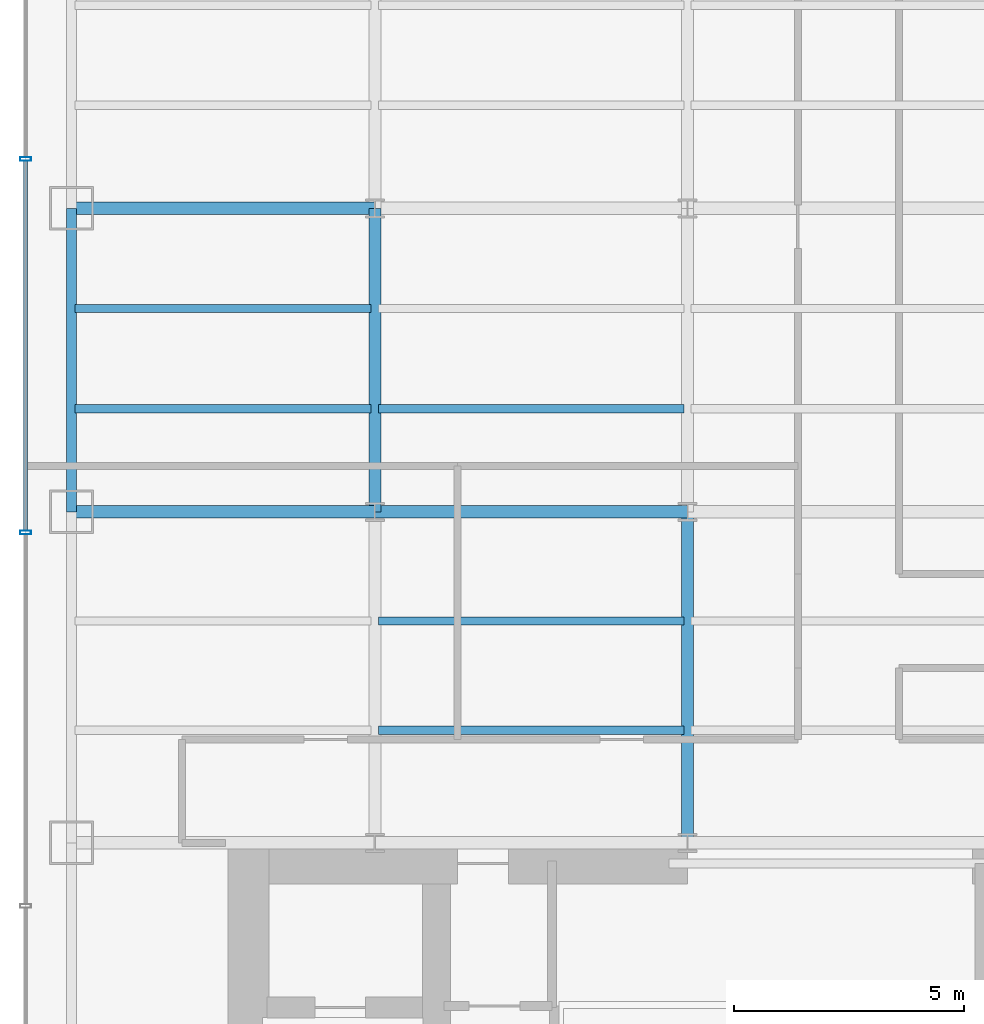
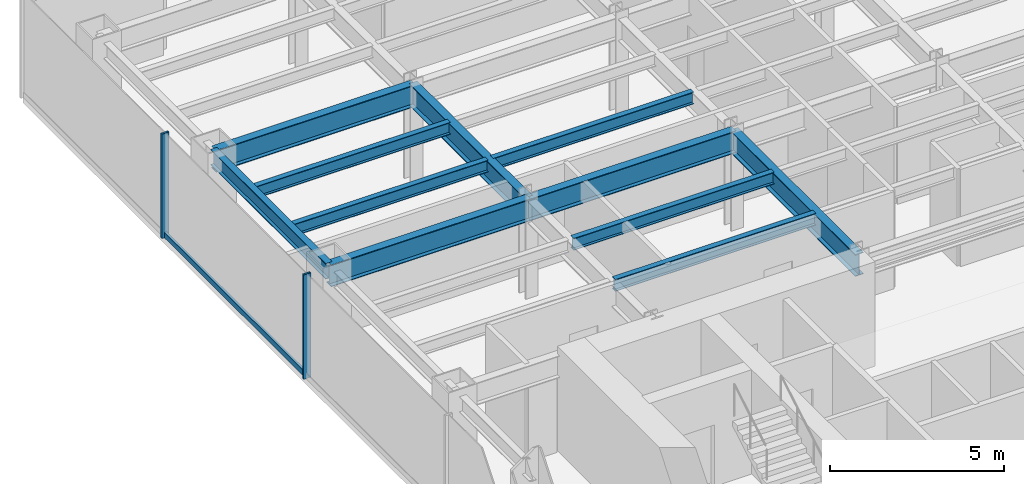
# One storey, part 4 of 22: 11 beams, 3 members, 1 element without a shape of its own.
"""IFC4 building model written with IfcOpenShell, lengths in metres."""

from ifc_helpers import new_model, si_unit, derived_unit, direction, frame, origin, origin_2d, place, context, subcontext, project, spatial, hollow_rectangle, i_section, extrude, source, transform, mapped, material, material_profile, profile_set, type_object, element, aggregate, save


model = new_model("IFC4")

# Units and contexts
model_context = context("Model", 3, precision=1e-05, world=origin(), true_north=direction((0.0, 1.0)))
body_context = subcontext(model_context, "Body", "Model", "MODEL_VIEW")
ifc_project = project(units=[si_unit("LENGTHUNIT", "METRE"), si_unit("AREAUNIT", "SQUARE_METRE"), si_unit("VOLUMEUNIT", "CUBIC_METRE"), si_unit("PLANEANGLEUNIT", "RADIAN"), si_unit("MASSUNIT", "GRAM", prefix="KILO"), derived_unit("THERMALTRANSMITTANCEUNIT", [(si_unit("POWERUNIT", "WATT"), 1), (si_unit("LENGTHUNIT", "METRE"), -2), (si_unit("THERMODYNAMICTEMPERATUREUNIT", "KELVIN"), -1)])], contexts=[model_context])

# Site, building, storey
site_placement = place(None, origin())
site = spatial("IfcSite", under=ifc_project, at=site_placement, CompositionType="ELEMENT")
building_placement = place(site_placement, origin())
building = spatial("IfcBuilding", under=site, at=building_placement, Name="Skarnbrae Concourse Arena and Tower", CompositionType="ELEMENT")
storey_placement = place(building_placement, frame((0.0, 0.0, 76.300048828125)))
storey = spatial("IfcBuildingStorey", under=building, at=storey_placement, Name="L18", CompositionType="ELEMENT", Elevation=76.300048828125)

# Beams
ifc_material_1 = material(Name="Steel CSA G40.21 350W", Category="steel")
ifc_material_profile_1 = material_profile(ifc_material_1, i_section(OverallWidth=0.26806640625, OverallDepth=0.77001953125, WebThickness=0.015625, FlangeThickness=0.025390625, at=origin_2d()), Name="W760X196")
ifc_profile_set_1 = profile_set([ifc_material_profile_1], Name="Steel CSA G40.21 350W")
beam_type_1 = type_object("IfcBeamType", Name="BM-GIRD-W760X196", PredefinedType="BEAM", material=ifc_profile_set_1)
shared_shape_1 = source(origin(), body_context, "Body", "SweptSolid", [
    extrude(i_section(OverallWidth=0.26806640625, OverallDepth=0.77001953125, WebThickness=0.015625, FlangeThickness=0.025390625, at=origin_2d()), origin(), (0.0, 0.0, 1.0), 6.60009765625),
])
for number, where, z_axis, x_axis, name in (
    (1, (1.0, 21.199951171875, 3.014892578125), (1.0, 0.0, 0.0), (0.0, 1.0, 0.0), "L18 Primary E-W girder Y21.2-1"),
    (2, (1.0, 27.800048828125, 3.014892578125), (1.0, 0.0, 0.0), (0.0, 1.0, 0.0), "L18 Primary E-W girder Y27.8-1"),
    (3, (7.60009765625, 21.199951171875, 3.014892578125), (0.0, 1.0, 0.0), (-1.0, 0.0, 0.0), "L18 Primary N-S girder X7.6-2"),
):
    element("IfcBeam", number, at=place(storey_placement, frame(where, z_axis=z_axis, x_axis=x_axis)), inside=storey, type_object=beam_type_1, Name=name, PredefinedType="BEAM", context=body_context, shape_type="MappedRepresentation", body=[
        mapped(shared_shape_1, transform((0.0, 0.0, 0.0))),
    ])
shared_shape_2 = source(origin(), body_context, "Body", "SweptSolid", [
    extrude(i_section(OverallWidth=0.26806640625, OverallDepth=0.77001953125, WebThickness=0.015625, FlangeThickness=0.025390625, at=origin_2d()), origin(), (0.0, 0.0, 1.0), 6.7998046875),
])
beam_1_placement = place(storey_placement, frame((7.60009765625, 21.199951171875, 3.014892578125), z_axis=(1.0, 0.0, 0.0), x_axis=(0.0, 1.0, 0.0)))
element("IfcBeam", 4, at=beam_1_placement, inside=storey, type_object=beam_type_1, Name="L18 Primary E-W girder Y21.2-2", PredefinedType="BEAM", context=body_context, shape_type="MappedRepresentation", body=[
    mapped(shared_shape_2, transform((0.0, 0.0, 0.0))),
])
ifc_material_profile_2 = material_profile(ifc_material_1, i_section(OverallWidth=0.214111328125, OverallDepth=0.549072265625, WebThickness=0.0146484375, FlangeThickness=0.023681640625, at=origin_2d()), Name="W530X138")
ifc_profile_set_2 = profile_set([ifc_material_profile_2], Name="Steel CSA G40.21 350W")
beam_type_2 = type_object("IfcBeamType", Name="BM-SPAN-W530X138", PredefinedType="SPANDREL", material=ifc_profile_set_2)
shared_shape_3 = source(origin(), body_context, "Body", "SweptSolid", [
    extrude(i_section(OverallWidth=0.214111328125, OverallDepth=0.549072265625, WebThickness=0.0146484375, FlangeThickness=0.023681640625, at=origin_2d()), origin(), (0.0, 0.0, 1.0), 6.60009765625),
])
beam_2_placement = place(storey_placement, frame((1.0, 21.199951171875, 3.12548828125), z_axis=(0.0, 1.0, 0.0), x_axis=(-1.0, 0.0, 0.0)))
element("IfcBeam", 5, at=beam_2_placement, inside=storey, type_object=beam_type_2, Name="L18 Perimeter spandrel X1.0-3", PredefinedType="SPANDREL", context=body_context, shape_type="MappedRepresentation", body=[
    mapped(shared_shape_3, transform((0.0, 0.0, 0.0))),
])
shared_shape_4 = source(origin(), body_context, "Body", "SweptSolid", [
    extrude(i_section(OverallWidth=0.26806640625, OverallDepth=0.77001953125, WebThickness=0.015625, FlangeThickness=0.025390625, at=origin_2d()), origin(), (0.0, 0.0, 1.0), 7.199951171875),
])
beam_3_placement = place(storey_placement, frame((14.39990234375, 14.0, 3.014892578125), z_axis=(0.0, 1.0, 0.0), x_axis=(-1.0, 0.0, 0.0)))
element("IfcBeam", 6, at=beam_3_placement, inside=storey, type_object=beam_type_1, Name="L18 Primary N-S girder X14.4-1", PredefinedType="BEAM", context=body_context, shape_type="MappedRepresentation", body=[
    mapped(shared_shape_4, transform((0.0, 0.0, 0.0))),
])
ifc_material_profile_3 = material_profile(ifc_material_1, i_section(OverallWidth=0.180908203125, OverallDepth=0.4169921875, WebThickness=0.010986328125, FlangeThickness=0.018310546875, at=origin_2d()), Name="W410X85")
ifc_profile_set_3 = profile_set([ifc_material_profile_3], Name="Steel CSA G40.21 350W")
beam_type_3 = type_object("IfcBeamType", Name="BM-JOIST-W410X85", PredefinedType="JOIST", material=ifc_profile_set_3)
shared_shape_5 = source(origin(), body_context, "Body", "SweptSolid", [
    extrude(i_section(OverallWidth=0.180908203125, OverallDepth=0.4169921875, WebThickness=0.010986328125, FlangeThickness=0.018310546875, at=origin_2d()), origin(), (0.0, 0.0, 1.0), 6.43994140625),
])
for number, where, z_axis, x_axis, name in (
    (7, (1.080078125, 23.444091796875, 3.19140625), (1.0, 0.0, 0.0), (0.0, 1.0, 0.0), "L18 Secondary floor joist 2.1.1"),
    (8, (1.080078125, 25.6220703125, 3.19140625), (1.0, 0.0, 0.0), (0.0, 1.0, 0.0), "L18 Secondary floor joist 2.2.1"),
):
    element("IfcBeam", number, at=place(storey_placement, frame(where, z_axis=z_axis, x_axis=x_axis)), inside=storey, type_object=beam_type_3, Name=name, PredefinedType="JOIST", context=body_context, shape_type="MappedRepresentation", body=[
        mapped(shared_shape_5, transform((0.0, 0.0, 0.0))),
    ])
shared_shape_6 = source(origin(), body_context, "Body", "SweptSolid", [
    extrude(i_section(OverallWidth=0.180908203125, OverallDepth=0.4169921875, WebThickness=0.010986328125, FlangeThickness=0.018310546875, at=origin_2d()), origin(), (0.0, 0.0, 1.0), 6.64013671875),
])
for number, where, z_axis, x_axis, name in (
    (9, (7.679931640625, 16.447998046875, 3.19140625), (1.0, 0.0, 0.0), (0.0, 1.0, 0.0), "L18 Secondary floor joist 1.1.2"),
    (10, (7.679931640625, 18.823974609375, 3.19140625), (1.0, 0.0, 0.0), (0.0, 1.0, 0.0), "L18 Secondary floor joist 1.2.2"),
    (11, (7.679931640625, 23.444091796875, 3.19140625), (1.0, 0.0, 0.0), (0.0, 1.0, 0.0), "L18 Secondary floor joist 2.1.2"),
):
    element("IfcBeam", number, at=place(storey_placement, frame(where, z_axis=z_axis, x_axis=x_axis)), inside=storey, type_object=beam_type_3, Name=name, PredefinedType="JOIST", context=body_context, shape_type="MappedRepresentation", body=[
        mapped(shared_shape_6, transform((0.0, 0.0, 0.0))),
    ])

# Curtain wall, members
ifc_material_2 = material(Name="Bronze anodised aluminium 6063-T6", Category="aluminium")
curtain_wall_type = type_object("IfcCurtainWallType", Name="CW-SYS-02-LOWZONE", PredefinedType="USERDEFINED", material=ifc_material_2)
curtain_wall_placement = place(storey_placement, origin())
curtain_wall = element("IfcCurtainWall", 12, at=curtain_wall_placement, inside=storey, type_object=curtain_wall_type, Name="L18 Unitised curtain wall CW-L18-E19", ObjectType="UNITISED CURTAIN WALL", PredefinedType="USERDEFINED")
ifc_material_profile_4 = material_profile(ifc_material_2, hollow_rectangle(XDim=0.080078125, YDim=0.239990234375, WallThickness=0.0048828125, at=origin_2d()), Name="ALU-MULL-80X240")
ifc_profile_set_4 = profile_set([ifc_material_profile_4], Name="Bronze anodised aluminium 6063-T6")
member_type_1 = type_object("IfcMemberType", Name="CWM-CW-02", PredefinedType="MULLION", material=ifc_profile_set_4)
shared_shape_7 = source(origin(), body_context, "Body", "SweptSolid", [
    extrude(hollow_rectangle(XDim=0.080078125, YDim=0.239990234375, WallThickness=0.0048828125, at=origin_2d()), origin(), (0.0, 0.0, 1.0), 3.64990234375),
])
member_1_placement = place(storey_placement, frame((0.0, 28.875, 0.0), z_axis=(0.0, 0.0, 1.0), x_axis=(0.0, -1.0, 0.0)))
member_1 = element("IfcMember", 13, at=member_1_placement, type_object=member_type_1, Name="CW-L18-E19 Mullion 2", PredefinedType="MULLION", context=body_context, shape_type="MappedRepresentation", body=[
    mapped(shared_shape_7, transform((0.0, 0.0, 0.0))),
])
member_2_placement = place(storey_placement, frame((0.0, 20.75, 0.0), z_axis=(0.0, 0.0, 1.0), x_axis=(0.0, -1.0, 0.0)))
member_2 = element("IfcMember", 14, at=member_2_placement, type_object=member_type_1, Name="CW-L18-E19 Mullion 3", PredefinedType="MULLION", context=body_context, shape_type="MappedRepresentation", body=[
    mapped(shared_shape_7, transform((0.0, 0.0, 0.0))),
])
ifc_material_profile_5 = material_profile(ifc_material_2, hollow_rectangle(XDim=0.080078125, YDim=0.18994140625, WallThickness=0.0048828125, at=origin_2d()), Name="ALU-TRAN-80X190")
ifc_profile_set_5 = profile_set([ifc_material_profile_5], Name="Bronze anodised aluminium 6063-T6")
member_type_2 = type_object("IfcMemberType", Name="CWT-CW-02", PredefinedType="USERDEFINED", material=ifc_profile_set_5)
shared_shape_8 = source(origin(), body_context, "Body", "SweptSolid", [
    extrude(hollow_rectangle(XDim=0.080078125, YDim=0.18994140625, WallThickness=0.0048828125, at=origin_2d()), origin(), (0.0, 0.0, 1.0), 8.044921875),
])
member_3_placement = place(storey_placement, frame((0.0, 28.8349609375, 0.094970703125), z_axis=(0.0, -1.0, 0.0), x_axis=(1.0, 0.0, 0.0)))
member_3 = element("IfcMember", 15, at=member_3_placement, type_object=member_type_2, Name="CW-L18-E19 Transom 2", ObjectType="TRANSOM", PredefinedType="USERDEFINED", context=body_context, shape_type="MappedRepresentation", body=[
    mapped(shared_shape_8, transform((0.0, 0.0, 0.0))),
])
aggregate(curtain_wall, [member_1, member_2, member_3])

save(model, "model.ifc")
